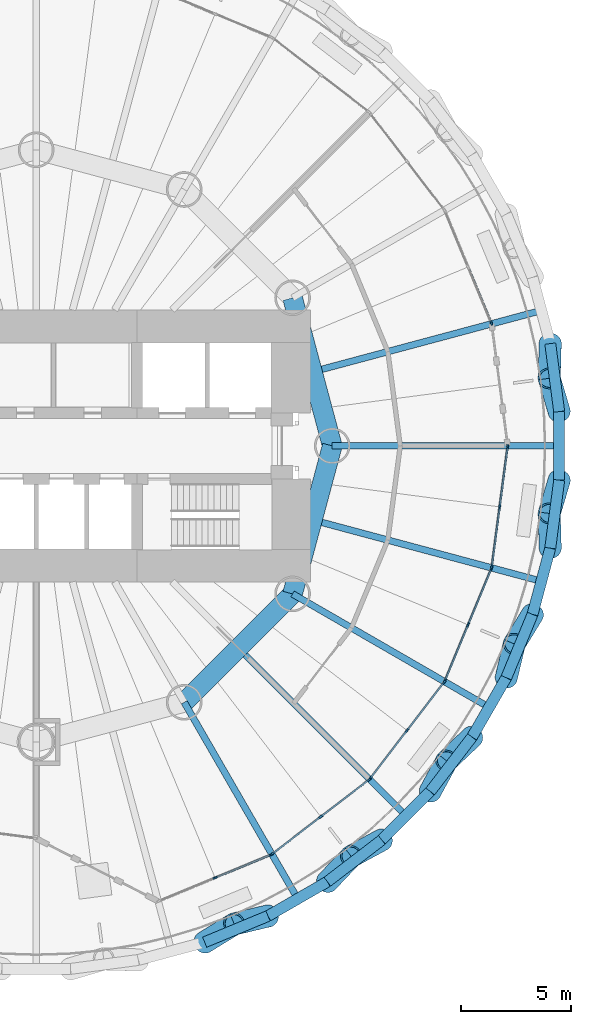
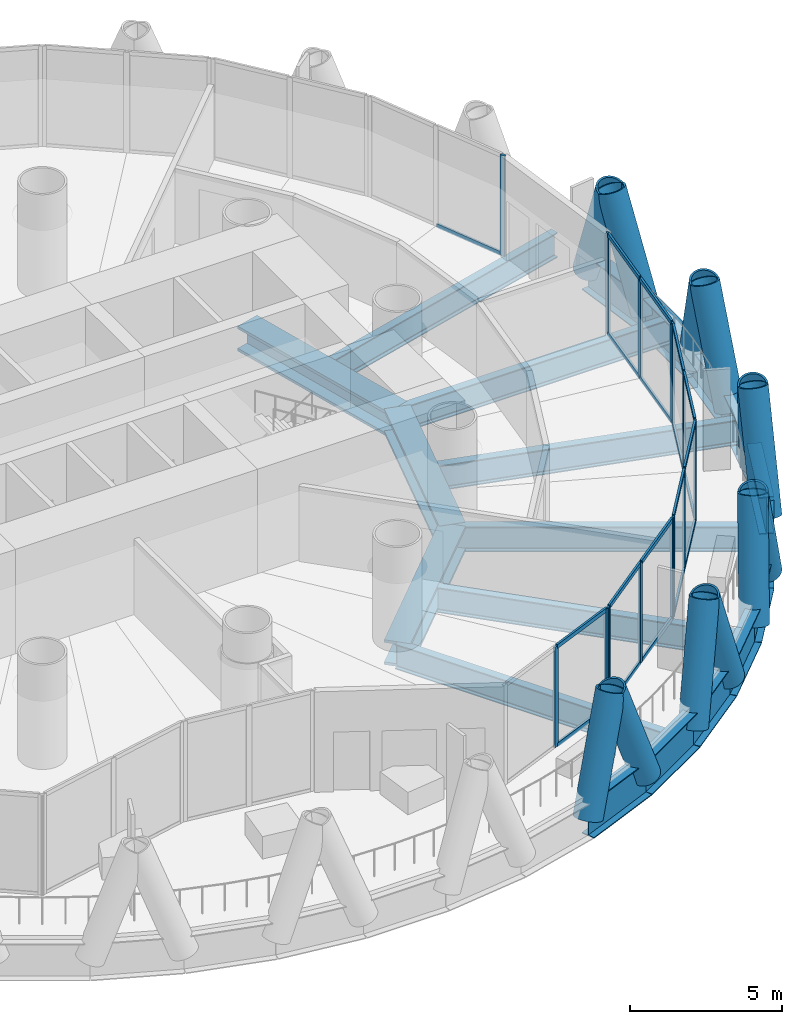
# One storey, part 4 of 15: 46 members, 20 beams, 6 elements without a shape of their own.
"""IFC4 building model written with IfcOpenShell, lengths in metres."""

from ifc_helpers import new_model, si_unit, direction, frame, origin, origin_2d, place, context, subcontext, project, spatial, rectangle, hollow_circle, i_section, extrude, material, material_profile, profile_set, type_object, element, aggregate, save


model = new_model("IFC4")

# Units and contexts
model_context = context("Model", 3, precision=1e-05, world=origin(), true_north=direction((0.0, 1.0)))
body_context = subcontext(model_context, "Body", "Model", "MODEL_VIEW")
ifc_project = project(units=[si_unit("LENGTHUNIT", "METRE"), si_unit("AREAUNIT", "SQUARE_METRE"), si_unit("VOLUMEUNIT", "CUBIC_METRE"), si_unit("PLANEANGLEUNIT", "RADIAN"), si_unit("MASSUNIT", "GRAM", prefix="KILO")], contexts=[model_context])

# Site, building, storey
site_placement = place(None, origin())
site = spatial("IfcSite", under=ifc_project, at=site_placement, CompositionType="ELEMENT")
building_placement = place(site_placement, origin())
building = spatial("IfcBuilding", under=site, at=building_placement, Name="Qaws Media Tower", CompositionType="ELEMENT")
storey_placement = place(building_placement, frame((0.0, 0.0, 198.199951171875)))
storey = spatial("IfcBuildingStorey", under=building, at=storey_placement, Name="L45", CompositionType="ELEMENT", Elevation=198.199951171875)

# Curtain wall, member
ifc_material_1 = material(Name="Aluminium and clear glass", Category="aluminium")
curtain_wall_type = type_object("IfcCurtainWallType", Name="Unitised curtain wall CW-C", PredefinedType="NOTDEFINED", material=ifc_material_1)
curtain_wall_1_placement = place(storey_placement, origin())
curtain_wall_1 = element("IfcCurtainWall", 1, at=curtain_wall_1_placement, inside=storey, type_object=curtain_wall_type, Name="CWC curtain wall L45-02", PredefinedType="NOTDEFINED")
ifc_material_2 = material(Name="Aluminium mullion", Category="aluminium")
ifc_material_profile_1 = material_profile(ifc_material_2, rectangle(XDim=0.080078125, YDim=0.199951171875, at=origin_2d()), Name="80x200")
ifc_profile_set_1 = profile_set([ifc_material_profile_1], Name="Aluminium mullion")
member_type_1 = type_object("IfcMemberType", Name="Curtain wall mullion 80x200", PredefinedType="MULLION", material=ifc_profile_set_1)
member_1_placement = place(storey_placement, frame((80.752197265625, 55.6015625, 0.0), z_axis=(0.0, 0.0, 1.0), x_axis=(-0.923879550051, -0.382683390022, 0.0)))
member_1 = element("IfcMember", 2, at=member_1_placement, type_object=member_type_1, Name="CWC mullion 1", PredefinedType="MULLION", context=body_context, shape_type="SweptSolid", body=[
    extrude(rectangle(XDim=0.080078125, YDim=0.199951171875, at=origin_2d()), origin(), (0.0, 0.0, 1.0), 4.0400390625),
])

# Curtain wall, members
curtain_wall_2_placement = place(storey_placement, origin())
curtain_wall_2 = element("IfcCurtainWall", 3, at=curtain_wall_2_placement, inside=storey, type_object=curtain_wall_type, Name="CWC curtain wall L45-20", PredefinedType="NOTDEFINED")
member_2_placement = place(storey_placement, frame((68.1572265625, 30.306640625, 0.0), z_axis=(0.0, 0.0, 1.0), x_axis=(-0.382683390022, 0.923879550051, 0.0)))
member_2 = element("IfcMember", 4, at=member_2_placement, type_object=member_type_1, Name="CWC mullion 2", PredefinedType="MULLION", context=body_context, shape_type="SweptSolid", body=[
    extrude(rectangle(XDim=0.080078125, YDim=0.199951171875, at=origin_2d()), origin(), (0.0, 0.0, 1.0), 4.0400390625),
])
member_3_placement = place(storey_placement, frame((70.713134765625, 31.365234375, 0.0), z_axis=(0.0, 0.0, 1.0), x_axis=(-0.382683390022, 0.923879550051, 0.0)))
member_3 = element("IfcMember", 5, at=member_3_placement, type_object=member_type_1, Name="CWC mullion 3", PredefinedType="MULLION", context=body_context, shape_type="SweptSolid", body=[
    extrude(rectangle(XDim=0.080078125, YDim=0.199951171875, at=origin_2d()), origin(), (0.0, 0.0, 1.0), 4.0400390625),
])

curtain_wall_3_placement = place(storey_placement, origin())
curtain_wall_3 = element("IfcCurtainWall", 6, at=curtain_wall_3_placement, inside=storey, type_object=curtain_wall_type, Name="CWC curtain wall L45-21", PredefinedType="NOTDEFINED")
member_4_placement = place(storey_placement, frame((70.78173828125, 31.40478515625, 0.0), z_axis=(0.0, 0.0, 1.0), x_axis=(-0.608761368139, 0.793353386998, 0.0)))
member_4 = element("IfcMember", 7, at=member_4_placement, type_object=member_type_1, Name="CWC mullion 1", PredefinedType="MULLION", context=body_context, shape_type="SweptSolid", body=[
    extrude(rectangle(XDim=0.080078125, YDim=0.199951171875, at=origin_2d()), origin(), (0.0, 0.0, 1.0), 4.0400390625),
])
member_5_placement = place(storey_placement, frame((72.976318359375, 33.0888671875, 0.0), z_axis=(0.0, 0.0, 1.0), x_axis=(-0.608761368139, 0.793353386998, 0.0)))
member_5 = element("IfcMember", 8, at=member_5_placement, type_object=member_type_1, Name="CWC mullion 2", PredefinedType="MULLION", context=body_context, shape_type="SweptSolid", body=[
    extrude(rectangle(XDim=0.080078125, YDim=0.199951171875, at=origin_2d()), origin(), (0.0, 0.0, 1.0), 4.0400390625),
])
member_6_placement = place(storey_placement, frame((75.171142578125, 34.77294921875, 0.0), z_axis=(0.0, 0.0, 1.0), x_axis=(-0.608761368139, 0.793353386998, 0.0)))
member_6 = element("IfcMember", 9, at=member_6_placement, type_object=member_type_1, Name="CWC mullion 3", PredefinedType="MULLION", context=body_context, shape_type="SweptSolid", body=[
    extrude(rectangle(XDim=0.080078125, YDim=0.199951171875, at=origin_2d()), origin(), (0.0, 0.0, 1.0), 4.0400390625),
])

curtain_wall_4_placement = place(storey_placement, origin())
curtain_wall_4 = element("IfcCurtainWall", 10, at=curtain_wall_4_placement, inside=storey, type_object=curtain_wall_type, Name="CWC curtain wall L45-22", PredefinedType="NOTDEFINED")
member_7_placement = place(storey_placement, frame((75.22705078125, 34.828857421875, 0.0), z_axis=(0.0, 0.0, 1.0), x_axis=(-0.793353386998, 0.608761368139, 0.0)))
member_7 = element("IfcMember", 11, at=member_7_placement, type_object=member_type_1, Name="CWC mullion 1", PredefinedType="MULLION", context=body_context, shape_type="SweptSolid", body=[
    extrude(rectangle(XDim=0.080078125, YDim=0.199951171875, at=origin_2d()), origin(), (0.0, 0.0, 1.0), 4.0400390625),
])
member_8_placement = place(storey_placement, frame((76.9111328125, 37.023681640625, 0.0), z_axis=(0.0, 0.0, 1.0), x_axis=(-0.793353386998, 0.608761368139, 0.0)))
member_8 = element("IfcMember", 12, at=member_8_placement, type_object=member_type_1, Name="CWC mullion 2", PredefinedType="MULLION", context=body_context, shape_type="SweptSolid", body=[
    extrude(rectangle(XDim=0.080078125, YDim=0.199951171875, at=origin_2d()), origin(), (0.0, 0.0, 1.0), 4.0400390625),
])
member_9_placement = place(storey_placement, frame((78.59521484375, 39.21826171875, 0.0), z_axis=(0.0, 0.0, 1.0), x_axis=(-0.793353386998, 0.608761368139, 0.0)))
member_9 = element("IfcMember", 13, at=member_9_placement, type_object=member_type_1, Name="CWC mullion 3", PredefinedType="MULLION", context=body_context, shape_type="SweptSolid", body=[
    extrude(rectangle(XDim=0.080078125, YDim=0.199951171875, at=origin_2d()), origin(), (0.0, 0.0, 1.0), 4.0400390625),
])

curtain_wall_5_placement = place(storey_placement, origin())
curtain_wall_5 = element("IfcCurtainWall", 14, at=curtain_wall_5_placement, inside=storey, type_object=curtain_wall_type, Name="CWC curtain wall L45-23", PredefinedType="NOTDEFINED")
member_10_placement = place(storey_placement, frame((78.634765625, 39.286865234375, 0.0), z_axis=(0.0, 0.0, 1.0), x_axis=(-0.923879550051, 0.382683390022, 0.0)))
member_10 = element("IfcMember", 15, at=member_10_placement, type_object=member_type_1, Name="CWC mullion 1", PredefinedType="MULLION", context=body_context, shape_type="SweptSolid", body=[
    extrude(rectangle(XDim=0.080078125, YDim=0.199951171875, at=origin_2d()), origin(), (0.0, 0.0, 1.0), 4.0400390625),
])
member_11_placement = place(storey_placement, frame((79.693359375, 41.8427734375, 0.0), z_axis=(0.0, 0.0, 1.0), x_axis=(-0.923879550051, 0.382683390022, 0.0)))
member_11 = element("IfcMember", 16, at=member_11_placement, type_object=member_type_1, Name="CWC mullion 2", PredefinedType="MULLION", context=body_context, shape_type="SweptSolid", body=[
    extrude(rectangle(XDim=0.080078125, YDim=0.199951171875, at=origin_2d()), origin(), (0.0, 0.0, 1.0), 4.0400390625),
])
member_12_placement = place(storey_placement, frame((80.752197265625, 44.3984375, 0.0), z_axis=(0.0, 0.0, 1.0), x_axis=(-0.923879550051, 0.382683390022, 0.0)))
member_12 = element("IfcMember", 17, at=member_12_placement, type_object=member_type_1, Name="CWC mullion 3", PredefinedType="MULLION", context=body_context, shape_type="SweptSolid", body=[
    extrude(rectangle(XDim=0.080078125, YDim=0.199951171875, at=origin_2d()), origin(), (0.0, 0.0, 1.0), 4.0400390625),
])

curtain_wall_6_placement = place(storey_placement, origin())
curtain_wall_6 = element("IfcCurtainWall", 18, at=curtain_wall_6_placement, inside=storey, type_object=curtain_wall_type, Name="CWC curtain wall L45-24", PredefinedType="NOTDEFINED")
member_13_placement = place(storey_placement, frame((80.772705078125, 44.47509765625, 0.0), z_axis=(0.0, 0.0, 1.0), x_axis=(-0.991444853833, 0.130526249496, 0.0)))
member_13 = element("IfcMember", 19, at=member_13_placement, type_object=member_type_1, Name="CWC mullion 1", PredefinedType="MULLION", context=body_context, shape_type="SweptSolid", body=[
    extrude(rectangle(XDim=0.080078125, YDim=0.199951171875, at=origin_2d()), origin(), (0.0, 0.0, 1.0), 4.0400390625),
])
member_14_placement = place(storey_placement, frame((81.1337890625, 47.2177734375, 0.0), z_axis=(0.0, 0.0, 1.0), x_axis=(-0.991444853833, 0.130526249496, 0.0)))
member_14 = element("IfcMember", 20, at=member_14_placement, type_object=member_type_1, Name="CWC mullion 2", PredefinedType="MULLION", context=body_context, shape_type="SweptSolid", body=[
    extrude(rectangle(XDim=0.080078125, YDim=0.199951171875, at=origin_2d()), origin(), (0.0, 0.0, 1.0), 4.0400390625),
])
member_15_placement = place(storey_placement, frame((81.494873046875, 49.96044921875, 0.0), z_axis=(0.0, 0.0, 1.0), x_axis=(-0.991444853833, 0.130526249496, 0.0)))
member_15 = element("IfcMember", 21, at=member_15_placement, type_object=member_type_1, Name="CWC mullion 3", PredefinedType="MULLION", context=body_context, shape_type="SweptSolid", body=[
    extrude(rectangle(XDim=0.080078125, YDim=0.199951171875, at=origin_2d()), origin(), (0.0, 0.0, 1.0), 4.0400390625),
])

# Member
ifc_material_3 = material(Name="Aluminium transom", Category="aluminium")
ifc_material_profile_2 = material_profile(ifc_material_3, rectangle(XDim=0.080078125, YDim=0.159912109375, at=origin_2d()), Name="80x160")
ifc_profile_set_2 = profile_set([ifc_material_profile_2], Name="Aluminium transom")
member_type_2 = type_object("IfcMemberType", Name="Curtain wall transom 80x160", PredefinedType="USERDEFINED", material=ifc_profile_set_2)
member_16_placement = place(storey_placement, frame((80.73681640625, 55.638427734375, 0.0400390625), z_axis=(-0.382691571386, 0.923876161176, 0.0), x_axis=(-0.923876161176, -0.382691571386, 0.0)))
member_16 = element("IfcMember", 22, at=member_16_placement, type_object=member_type_2, Name="CWC transom 1.1", ObjectType="TRANSOM", PredefinedType="USERDEFINED", context=body_context, shape_type="SweptSolid", body=[
    extrude(rectangle(XDim=0.080078125, YDim=0.159912109375, at=origin_2d()), origin(), (0.0, 0.0, 1.0), 2.6865234375),
])

aggregate(curtain_wall_1, [member_1, member_16])

member_17_placement = place(storey_placement, frame((68.1943359375, 30.32177734375, 0.0400390625), z_axis=(0.923862850009, 0.382723705006, 0.0), x_axis=(-0.382723705006, 0.923862850009, 0.0)))
member_17 = element("IfcMember", 23, at=member_17_placement, type_object=member_type_2, Name="CWC transom 2.1", ObjectType="TRANSOM", PredefinedType="USERDEFINED", context=body_context, shape_type="SweptSolid", body=[
    extrude(rectangle(XDim=0.080078125, YDim=0.159912109375, at=origin_2d()), origin(), (0.0, 0.0, 1.0), 2.686279296875),
])

member_18_placement = place(storey_placement, frame((68.1943359375, 30.32177734375, 4.0), z_axis=(0.923862850009, 0.382723705006, 0.0), x_axis=(-0.382723705006, 0.923862850009, 0.0)))
member_18 = element("IfcMember", 24, at=member_18_placement, type_object=member_type_2, Name="CWC transom 2.2", ObjectType="TRANSOM", PredefinedType="USERDEFINED", context=body_context, shape_type="SweptSolid", body=[
    extrude(rectangle(XDim=0.080078125, YDim=0.159912109375, at=origin_2d()), origin(), (0.0, 0.0, 1.0), 2.686279296875),
])

aggregate(curtain_wall_2, [member_2, member_3, member_17, member_18])

member_19_placement = place(storey_placement, frame((70.8134765625, 31.42919921875, 0.0400390625), z_axis=(0.793353220812, 0.608761584717, 0.0), x_axis=(-0.608761584717, 0.793353220812, 0.0)))
member_19 = element("IfcMember", 25, at=member_19_placement, type_object=member_type_2, Name="CWC transom 1.1", ObjectType="TRANSOM", PredefinedType="USERDEFINED", context=body_context, shape_type="SweptSolid", body=[
    extrude(rectangle(XDim=0.080078125, YDim=0.159912109375, at=origin_2d()), origin(), (0.0, 0.0, 1.0), 2.686279296875),
])

member_20_placement = place(storey_placement, frame((70.8134765625, 31.42919921875, 4.0), z_axis=(0.793353220812, 0.608761584717, 0.0), x_axis=(-0.608761584717, 0.793353220812, 0.0)))
member_20 = element("IfcMember", 26, at=member_20_placement, type_object=member_type_2, Name="CWC transom 1.2", ObjectType="TRANSOM", PredefinedType="USERDEFINED", context=body_context, shape_type="SweptSolid", body=[
    extrude(rectangle(XDim=0.080078125, YDim=0.159912109375, at=origin_2d()), origin(), (0.0, 0.0, 1.0), 2.686279296875),
])

member_21_placement = place(storey_placement, frame((73.008056640625, 33.11328125, 0.0400390625), z_axis=(0.793386899068, 0.608717691863, 0.0), x_axis=(-0.608717691863, 0.793386899068, 0.0)))
member_21 = element("IfcMember", 27, at=member_21_placement, type_object=member_type_2, Name="CWC transom 2.1", ObjectType="TRANSOM", PredefinedType="USERDEFINED", context=body_context, shape_type="SweptSolid", body=[
    extrude(rectangle(XDim=0.080078125, YDim=0.159912109375, at=origin_2d()), origin(), (0.0, 0.0, 1.0), 2.686279296875),
])

member_22_placement = place(storey_placement, frame((73.008056640625, 33.11328125, 4.0), z_axis=(0.793386899068, 0.608717691863, 0.0), x_axis=(-0.608717691863, 0.793386899068, 0.0)))
member_22 = element("IfcMember", 28, at=member_22_placement, type_object=member_type_2, Name="CWC transom 2.2", ObjectType="TRANSOM", PredefinedType="USERDEFINED", context=body_context, shape_type="SweptSolid", body=[
    extrude(rectangle(XDim=0.080078125, YDim=0.159912109375, at=origin_2d()), origin(), (0.0, 0.0, 1.0), 2.686279296875),
])

aggregate(curtain_wall_3, [member_4, member_5, member_6, member_19, member_20, member_21, member_22])

member_23_placement = place(storey_placement, frame((75.25146484375, 34.860595703125, 0.0400390625), z_axis=(0.608717691863, 0.793386899068, 0.0), x_axis=(-0.793386899068, 0.608717691863, 0.0)))
member_23 = element("IfcMember", 29, at=member_23_placement, type_object=member_type_2, Name="CWC transom 1.1", ObjectType="TRANSOM", PredefinedType="USERDEFINED", context=body_context, shape_type="SweptSolid", body=[
    extrude(rectangle(XDim=0.080078125, YDim=0.159912109375, at=origin_2d()), origin(), (0.0, 0.0, 1.0), 2.686279296875),
])

member_24_placement = place(storey_placement, frame((75.25146484375, 34.860595703125, 4.0), z_axis=(0.608717691863, 0.793386899068, 0.0), x_axis=(-0.793386899068, 0.608717691863, 0.0)))
member_24 = element("IfcMember", 30, at=member_24_placement, type_object=member_type_2, Name="CWC transom 1.2", ObjectType="TRANSOM", PredefinedType="USERDEFINED", context=body_context, shape_type="SweptSolid", body=[
    extrude(rectangle(XDim=0.080078125, YDim=0.159912109375, at=origin_2d()), origin(), (0.0, 0.0, 1.0), 2.686279296875),
])

member_25_placement = place(storey_placement, frame((76.935546875, 37.055419921875, 0.0400390625), z_axis=(0.608761584717, 0.793353220812, 0.0), x_axis=(-0.793353220812, 0.608761584717, 0.0)))
member_25 = element("IfcMember", 31, at=member_25_placement, type_object=member_type_2, Name="CWC transom 2.1", ObjectType="TRANSOM", PredefinedType="USERDEFINED", context=body_context, shape_type="SweptSolid", body=[
    extrude(rectangle(XDim=0.080078125, YDim=0.159912109375, at=origin_2d()), origin(), (0.0, 0.0, 1.0), 2.686279296875),
])

member_26_placement = place(storey_placement, frame((76.935546875, 37.055419921875, 4.0), z_axis=(0.608761584717, 0.793353220812, 0.0), x_axis=(-0.793353220812, 0.608761584717, 0.0)))
member_26 = element("IfcMember", 32, at=member_26_placement, type_object=member_type_2, Name="CWC transom 2.2", ObjectType="TRANSOM", PredefinedType="USERDEFINED", context=body_context, shape_type="SweptSolid", body=[
    extrude(rectangle(XDim=0.080078125, YDim=0.159912109375, at=origin_2d()), origin(), (0.0, 0.0, 1.0), 2.686279296875),
])

aggregate(curtain_wall_4, [member_7, member_8, member_9, member_23, member_24, member_25, member_26])

member_27_placement = place(storey_placement, frame((78.650146484375, 39.323974609375, 0.0400390625), z_axis=(0.382723705006, 0.923862850009, 0.0), x_axis=(-0.923862850009, 0.382723705006, 0.0)))
member_27 = element("IfcMember", 33, at=member_27_placement, type_object=member_type_2, Name="CWC transom 1.1", ObjectType="TRANSOM", PredefinedType="USERDEFINED", context=body_context, shape_type="SweptSolid", body=[
    extrude(rectangle(XDim=0.080078125, YDim=0.159912109375, at=origin_2d()), origin(), (0.0, 0.0, 1.0), 2.686279296875),
])

member_28_placement = place(storey_placement, frame((78.650146484375, 39.323974609375, 4.0), z_axis=(0.382723705006, 0.923862850009, 0.0), x_axis=(-0.923862850009, 0.382723705006, 0.0)))
member_28 = element("IfcMember", 34, at=member_28_placement, type_object=member_type_2, Name="CWC transom 1.2", ObjectType="TRANSOM", PredefinedType="USERDEFINED", context=body_context, shape_type="SweptSolid", body=[
    extrude(rectangle(XDim=0.080078125, YDim=0.159912109375, at=origin_2d()), origin(), (0.0, 0.0, 1.0), 2.686279296875),
])

member_29_placement = place(storey_placement, frame((79.708740234375, 41.879638671875, 0.0400390625), z_axis=(0.382691571386, 0.923876161176, 0.0), x_axis=(-0.923876161176, 0.382691571386, 0.0)))
member_29 = element("IfcMember", 35, at=member_29_placement, type_object=member_type_2, Name="CWC transom 2.1", ObjectType="TRANSOM", PredefinedType="USERDEFINED", context=body_context, shape_type="SweptSolid", body=[
    extrude(rectangle(XDim=0.080078125, YDim=0.159912109375, at=origin_2d()), origin(), (0.0, 0.0, 1.0), 2.6865234375),
])

member_30_placement = place(storey_placement, frame((79.708740234375, 41.879638671875, 4.0), z_axis=(0.382691571386, 0.923876161176, 0.0), x_axis=(-0.923876161176, 0.382691571386, 0.0)))
member_30 = element("IfcMember", 36, at=member_30_placement, type_object=member_type_2, Name="CWC transom 2.2", ObjectType="TRANSOM", PredefinedType="USERDEFINED", context=body_context, shape_type="SweptSolid", body=[
    extrude(rectangle(XDim=0.080078125, YDim=0.159912109375, at=origin_2d()), origin(), (0.0, 0.0, 1.0), 2.6865234375),
])

aggregate(curtain_wall_5, [member_10, member_11, member_12, member_27, member_28, member_29, member_30])

member_31_placement = place(storey_placement, frame((80.77783203125, 44.5146484375, 0.0400390625), z_axis=(0.130508584607, 0.991447179301, 0.0), x_axis=(-0.991447179301, 0.130508584607, 0.0)))
member_31 = element("IfcMember", 37, at=member_31_placement, type_object=member_type_2, Name="CWC transom 1.1", ObjectType="TRANSOM", PredefinedType="USERDEFINED", context=body_context, shape_type="SweptSolid", body=[
    extrude(rectangle(XDim=0.080078125, YDim=0.159912109375, at=origin_2d()), origin(), (0.0, 0.0, 1.0), 2.686279296875),
])

member_32_placement = place(storey_placement, frame((80.77783203125, 44.5146484375, 4.0), z_axis=(0.130508584607, 0.991447179301, 0.0), x_axis=(-0.991447179301, 0.130508584607, 0.0)))
member_32 = element("IfcMember", 38, at=member_32_placement, type_object=member_type_2, Name="CWC transom 1.2", ObjectType="TRANSOM", PredefinedType="USERDEFINED", context=body_context, shape_type="SweptSolid", body=[
    extrude(rectangle(XDim=0.080078125, YDim=0.159912109375, at=origin_2d()), origin(), (0.0, 0.0, 1.0), 2.686279296875),
])

member_33_placement = place(storey_placement, frame((81.138916015625, 47.25732421875, 0.0400390625), z_axis=(0.130508584607, 0.991447179301, 0.0), x_axis=(-0.991447179301, 0.130508584607, 0.0)))
member_33 = element("IfcMember", 39, at=member_33_placement, type_object=member_type_2, Name="CWC transom 2.1", ObjectType="TRANSOM", PredefinedType="USERDEFINED", context=body_context, shape_type="SweptSolid", body=[
    extrude(rectangle(XDim=0.080078125, YDim=0.159912109375, at=origin_2d()), origin(), (0.0, 0.0, 1.0), 2.686279296875),
])

member_34_placement = place(storey_placement, frame((81.138916015625, 47.25732421875, 4.0), z_axis=(0.130508584607, 0.991447179301, 0.0), x_axis=(-0.991447179301, 0.130508584607, 0.0)))
member_34 = element("IfcMember", 40, at=member_34_placement, type_object=member_type_2, Name="CWC transom 2.2", ObjectType="TRANSOM", PredefinedType="USERDEFINED", context=body_context, shape_type="SweptSolid", body=[
    extrude(rectangle(XDim=0.080078125, YDim=0.159912109375, at=origin_2d()), origin(), (0.0, 0.0, 1.0), 2.686279296875),
])

aggregate(curtain_wall_6, [member_13, member_14, member_15, member_31, member_32, member_33, member_34])

# Members
ifc_material_4 = material(Name="Steel S460", Category="steel")
ifc_material_profile_3 = material_profile(ifc_material_4, hollow_circle(Radius=0.508056640625, WallThickness=0.070068359375, at=origin_2d()), Name="CHS 1016x70")
ifc_profile_set_3 = profile_set([ifc_material_profile_3], Name="Steel S460")
member_type_3 = type_object("IfcMemberType", Name="Diagrid member CHS 1016x70", PredefinedType="USERDEFINED", material=ifc_profile_set_3)
for number, where, z_axis, x_axis, name in (
    (41, (83.848876953125, 51.563232421875, -0.909912109375), (-0.100414403479, 0.338014682134, 0.935768679876), (-0.958595556334, -0.284771064852, 0.0), "DG3 diagrid L45 A01"),
    (42, (83.848876953125, 48.436767578125, -0.909912109375), (-0.100414403479, -0.338014682134, 0.935768679876), (0.958595556334, -0.284771064852, 0.0), "DG3 diagrid L45 B01"),
    (43, (83.440673828125, 54.66259765625, -0.909912109375), (-0.009464676487, -0.352532001786, 0.935751894263), (0.999639794984, -0.026838038008, 0.0), "DG3 diagrid L45 B02"),
    (44, (67.682373046875, 27.368408203125, -0.909912109375), (0.300531719733, 0.184507437707, 0.935755144717), (-0.523202112796, 0.85220863007, 0.0), "DG3 diagrid L45 A20"),
    (45, (73.278076171875, 30.1279296875, -0.909912109375), (0.24254755553, 0.255983134408, 0.935758151557), (-0.725899989111, 0.687800265926, 0.0), "DG3 diagrid L45 A21"),
    (46, (70.57080078125, 28.564697265625, -0.909912109375), (-0.343009853976, -0.082026460481, 0.935743501103), (0.232579556178, -0.972577374839, 0.0), "DG3 diagrid L45 B21"),
    (47, (77.968994140625, 34.24169921875, -0.909912109375), (0.168025631543, 0.310050534086, 0.935754269805), (-0.879195053655, 0.476462021182, 0.0), "DG3 diagrid L45 A22"),
    (48, (75.75830078125, 32.031005859375, -0.909912109375), (-0.310050534086, -0.168025631543, 0.935754269805), (0.476462021182, -0.879195053655, 0.0), "DG3 diagrid L45 B22"),
    (49, (81.435302734375, 39.42919921875, -0.909912109375), (0.082026460481, 0.343009853976, 0.935743501103), (-0.972577374839, 0.232579556178, 0.0), "DG3 diagrid L45 A23"),
    (50, (79.8720703125, 36.721923828125, -0.909912109375), (-0.255983134408, -0.24254755553, 0.935758151557), (0.687800265926, -0.725899989111, 0.0), "DG3 diagrid L45 B23"),
    (51, (83.440673828125, 45.33740234375, -0.909912109375), (-0.009464676487, 0.352532001786, 0.935751894263), (-0.999639794984, -0.026838038008, 0.0), "DG3 diagrid L45 A24"),
    (52, (82.631591796875, 42.317626953125, -0.909912109375), (-0.184507437707, -0.300531719733, 0.935755144717), (0.85220863007, -0.523202112796, 0.0), "DG3 diagrid L45 B24"),
):
    element("IfcMember", number, at=place(storey_placement, frame(where, z_axis=z_axis, x_axis=x_axis)), inside=storey, type_object=member_type_3, Name=name, ObjectType="DIAGRID", PredefinedType="USERDEFINED", context=body_context, shape_type="SweptSolid", body=[
        extrude(hollow_circle(Radius=0.508056640625, WallThickness=0.070068359375, at=origin_2d()), origin(), (0.0, 0.0, 1.0), 4.48828125),
    ])

# Beams
ifc_material_5 = material(Name="Steel S460", Category="steel")
ifc_material_profile_4 = material_profile(ifc_material_5, i_section(OverallWidth=0.5, OverallDepth=1.5, WebThickness=0.02001953125, FlangeThickness=0.0400390625, at=origin_2d()), Name="PG 1500x500")
ifc_profile_set_4 = profile_set([ifc_material_profile_4], Name="Steel S460")
beam_type_1 = type_object("IfcBeamType", Name="Edge ring beam PG 1500x500", PredefinedType="BEAM", material=ifc_profile_set_4)
beam_1_placement = place(storey_placement, frame((83.848876953125, 51.563232421875, -0.909912109375), z_axis=(-0.130577743855, 0.991438073109, 0.0), x_axis=(-0.991438073109, -0.130577743855, 0.0)))
element("IfcBeam", 53, at=beam_1_placement, inside=storey, type_object=beam_type_1, Name="RB4 edge ring beam L45-01", PredefinedType="BEAM", context=body_context, shape_type="SweptSolid", body=[
    extrude(i_section(OverallWidth=0.5, OverallDepth=1.5, WebThickness=0.02001953125, FlangeThickness=0.0400390625, at=origin_2d()), origin(), (0.0, 0.0, 1.0), 3.126220703125),
])
beam_2_placement = place(storey_placement, frame((67.682373046875, 27.368408203125, -0.909912109375), z_axis=(0.923895011115, 0.382646061572, 0.0), x_axis=(-0.382646061572, 0.923895011115, 0.0)))
element("IfcBeam", 54, at=beam_2_placement, inside=storey, type_object=beam_type_1, Name="RB4 edge ring beam L45-39", PredefinedType="BEAM", context=body_context, shape_type="SweptSolid", body=[
    extrude(i_section(OverallWidth=0.5, OverallDepth=1.5, WebThickness=0.02001953125, FlangeThickness=0.0400390625, at=origin_2d()), origin(), (0.0, 0.0, 1.0), 3.12646484375),
])
for number, where, z_axis, x_axis, name in (
    (55, (70.57080078125, 28.564697265625, -0.909912109375), (0.86599960537, 0.500044681503, 0.0), (-0.500044681503, 0.86599960537, 0.0), "RB4 edge ring beam L45-40"),
    (56, (73.278076171875, 30.1279296875, -0.909912109375), (0.793363707434, 0.608747918048, 0.0), (-0.608747918048, 0.793363707434, 0.0), "RB4 edge ring beam L45-41"),
):
    element("IfcBeam", number, at=place(storey_placement, frame(where, z_axis=z_axis, x_axis=x_axis)), inside=storey, type_object=beam_type_1, Name=name, PredefinedType="BEAM", context=body_context, shape_type="SweptSolid", body=[
        extrude(i_section(OverallWidth=0.5, OverallDepth=1.5, WebThickness=0.02001953125, FlangeThickness=0.0400390625, at=origin_2d()), origin(), (0.0, 0.0, 1.0), 3.126220703125),
    ])
beam_3_placement = place(storey_placement, frame((75.75830078125, 32.031005859375, -0.909912109375), z_axis=(0.707106781187, 0.707106781187, 0.0), x_axis=(-0.707106781187, 0.707106781187, 0.0)))
element("IfcBeam", 57, at=beam_3_placement, inside=storey, type_object=beam_type_1, Name="RB4 edge ring beam L45-42", PredefinedType="BEAM", context=body_context, shape_type="SweptSolid", body=[
    extrude(i_section(OverallWidth=0.5, OverallDepth=1.5, WebThickness=0.02001953125, FlangeThickness=0.0400390625, at=origin_2d()), origin(), (0.0, 0.0, 1.0), 3.12646484375),
])
for number, where, z_axis, x_axis, name in (
    (58, (77.968994140625, 34.24169921875, -0.909912109375), (0.608747918048, 0.793363707434, 0.0), (-0.793363707434, 0.608747918048, 0.0), "RB4 edge ring beam L45-43"),
    (59, (79.8720703125, 36.721923828125, -0.909912109375), (0.500044681503, 0.86599960537, 0.0), (-0.86599960537, 0.500044681503, 0.0), "RB4 edge ring beam L45-44"),
):
    element("IfcBeam", number, at=place(storey_placement, frame(where, z_axis=z_axis, x_axis=x_axis)), inside=storey, type_object=beam_type_1, Name=name, PredefinedType="BEAM", context=body_context, shape_type="SweptSolid", body=[
        extrude(i_section(OverallWidth=0.5, OverallDepth=1.5, WebThickness=0.02001953125, FlangeThickness=0.0400390625, at=origin_2d()), origin(), (0.0, 0.0, 1.0), 3.126220703125),
    ])
beam_4_placement = place(storey_placement, frame((81.435302734375, 39.42919921875, -0.909912109375), z_axis=(0.382646061572, 0.923895011115, 0.0), x_axis=(-0.923895011115, 0.382646061572, 0.0)))
element("IfcBeam", 60, at=beam_4_placement, inside=storey, type_object=beam_type_1, Name="RB4 edge ring beam L45-45", PredefinedType="BEAM", context=body_context, shape_type="SweptSolid", body=[
    extrude(i_section(OverallWidth=0.5, OverallDepth=1.5, WebThickness=0.02001953125, FlangeThickness=0.0400390625, at=origin_2d()), origin(), (0.0, 0.0, 1.0), 3.12646484375),
])
for number, where, z_axis, x_axis, name in (
    (61, (82.631591796875, 42.317626953125, -0.909912109375), (0.258799841546, 0.965930971662, 0.0), (-0.965930971662, 0.258799841546, 0.0), "RB4 edge ring beam L45-46"),
    (62, (83.440673828125, 45.33740234375, -0.909912109375), (0.130577743855, 0.991438073109, 0.0), (-0.991438073109, 0.130577743855, 0.0), "RB4 edge ring beam L45-47"),
):
    element("IfcBeam", number, at=place(storey_placement, frame(where, z_axis=z_axis, x_axis=x_axis)), inside=storey, type_object=beam_type_1, Name=name, PredefinedType="BEAM", context=body_context, shape_type="SweptSolid", body=[
        extrude(i_section(OverallWidth=0.5, OverallDepth=1.5, WebThickness=0.02001953125, FlangeThickness=0.0400390625, at=origin_2d()), origin(), (0.0, 0.0, 1.0), 3.126220703125),
    ])
beam_5_placement = place(storey_placement, frame((83.848876953125, 48.436767578125, -0.909912109375), z_axis=(0.0, 1.0, 0.0), x_axis=(-1.0, 0.0, 0.0)))
element("IfcBeam", 63, at=beam_5_placement, inside=storey, type_object=beam_type_1, Name="RB4 edge ring beam L45-48", PredefinedType="BEAM", context=body_context, shape_type="SweptSolid", body=[
    extrude(i_section(OverallWidth=0.5, OverallDepth=1.5, WebThickness=0.02001953125, FlangeThickness=0.0400390625, at=origin_2d()), origin(), (0.0, 0.0, 1.0), 3.12646484375),
])
ifc_material_6 = material(Name="Steel S460", Category="steel")
ifc_material_profile_5 = material_profile(ifc_material_6, i_section(OverallWidth=0.89990234375, OverallDepth=1.0, WebThickness=0.044921875, FlangeThickness=0.110107421875, at=origin_2d()), Name="PG 1000x900")
ifc_profile_set_5 = profile_set([ifc_material_profile_5], Name="Steel S460")
beam_type_2 = type_object("IfcBeamType", Name="Inner ring girder PG 1000x900", PredefinedType="BEAM", material=ifc_profile_set_5)
beam_6_placement = place(storey_placement, frame((73.5, 50.0, -0.659912109375), z_axis=(-0.258810593767, 0.965928090778, 0.0), x_axis=(-0.965928090778, -0.258810593767, 0.0)))
element("IfcBeam", 64, at=beam_6_placement, inside=storey, type_object=beam_type_2, Name="B3 inner ring beam L45 I01-I02", PredefinedType="BEAM", context=body_context, shape_type="SweptSolid", body=[
    extrude(i_section(OverallWidth=0.89990234375, OverallDepth=1.0, WebThickness=0.044921875, FlangeThickness=0.110107421875, at=origin_2d()), origin(), (0.0, 0.0, 1.0), 6.988037109375),
])
beam_7_placement = place(storey_placement, frame((66.75, 38.30859375, -0.659912109375), z_axis=(0.707106781187, 0.707106781187, 0.0), x_axis=(-0.707106781187, 0.707106781187, 0.0)))
element("IfcBeam", 65, at=beam_7_placement, inside=storey, type_object=beam_type_2, Name="B3 inner ring beam L45 I11-I12", PredefinedType="BEAM", context=body_context, shape_type="SweptSolid", body=[
    extrude(i_section(OverallWidth=0.89990234375, OverallDepth=1.0, WebThickness=0.044921875, FlangeThickness=0.110107421875, at=origin_2d()), origin(), (0.0, 0.0, 1.0), 6.98828125),
])
beam_8_placement = place(storey_placement, frame((71.69140625, 43.25, -0.659912109375), z_axis=(0.258810593767, 0.965928090778, 0.0), x_axis=(-0.965928090778, 0.258810593767, 0.0)))
element("IfcBeam", 66, at=beam_8_placement, inside=storey, type_object=beam_type_2, Name="B3 inner ring beam L45 I12-I01", PredefinedType="BEAM", context=body_context, shape_type="SweptSolid", body=[
    extrude(i_section(OverallWidth=0.89990234375, OverallDepth=1.0, WebThickness=0.044921875, FlangeThickness=0.110107421875, at=origin_2d()), origin(), (0.0, 0.0, 1.0), 6.988037109375),
])
ifc_material_7 = material(Name="Steel S355", Category="steel")
ifc_material_profile_6 = material_profile(ifc_material_7, i_section(OverallWidth=0.302001953125, OverallDepth=1.008056640625, WebThickness=0.02099609375, FlangeThickness=0.0400390625, FilletRadius=0.030029296875, at=origin_2d()), Name="HE 1000 M")
ifc_profile_set_6 = profile_set([ifc_material_profile_6], Name="Steel S355")
beam_type_3 = type_object("IfcBeamType", Name="Radial beam HE 1000 M", PredefinedType="BEAM", material=ifc_profile_set_6)
beam_9_placement = place(storey_placement, frame((73.5, 50.0, -0.6640625), z_axis=(1.0, 0.0, 0.0), x_axis=(0.0, 1.0, 0.0)))
element("IfcBeam", 67, at=beam_9_placement, inside=storey, type_object=beam_type_3, Name="B1 radial beam L45 01", PredefinedType="BEAM", context=body_context, shape_type="SweptSolid", body=[
    extrude(i_section(OverallWidth=0.302001953125, OverallDepth=1.008056640625, WebThickness=0.02099609375, FlangeThickness=0.0400390625, FilletRadius=0.030029296875, at=origin_2d()), origin(), (0.0, 0.0, 1.0), 10.348876953125),
])
beam_10_placement = place(storey_placement, frame((73.0302734375, 53.491455078125, -0.6640625), z_axis=(0.965923644434, 0.25882718776, 0.0), x_axis=(-0.25882718776, 0.965923644434, 0.0)))
element("IfcBeam", 68, at=beam_10_placement, inside=storey, type_object=beam_type_3, Name="B1 radial beam L45 02", PredefinedType="BEAM", context=body_context, shape_type="SweptSolid", body=[
    extrude(i_section(OverallWidth=0.302001953125, OverallDepth=1.008056640625, WebThickness=0.02099609375, FlangeThickness=0.0400390625, FilletRadius=0.030029296875, at=origin_2d()), origin(), (0.0, 0.0, 1.0), 10.35888671875),
])
beam_11_placement = place(storey_placement, frame((66.75, 38.30859375, -0.6640625), z_axis=(0.499990651121, -0.866030801295, 0.0), x_axis=(0.866030801295, 0.499990651121, 0.0)))
element("IfcBeam", 69, at=beam_11_placement, inside=storey, type_object=beam_type_3, Name="B1 radial beam L45 21", PredefinedType="BEAM", context=body_context, shape_type="SweptSolid", body=[
    extrude(i_section(OverallWidth=0.302001953125, OverallDepth=1.008056640625, WebThickness=0.02099609375, FlangeThickness=0.0400390625, FilletRadius=0.030029296875, at=origin_2d()), origin(), (0.0, 0.0, 1.0), 10.348876953125),
])
beam_12_placement = place(storey_placement, frame((69.538818359375, 40.461181640625, -0.6640625), z_axis=(0.707106781187, -0.707106781187, 0.0), x_axis=(0.707106781187, 0.707106781187, 0.0)))
element("IfcBeam", 70, at=beam_12_placement, inside=storey, type_object=beam_type_3, Name="B1 radial beam L45 22", PredefinedType="BEAM", context=body_context, shape_type="SweptSolid", body=[
    extrude(i_section(OverallWidth=0.302001953125, OverallDepth=1.008056640625, WebThickness=0.02099609375, FlangeThickness=0.0400390625, FilletRadius=0.030029296875, at=origin_2d()), origin(), (0.0, 0.0, 1.0), 10.359130859375),
])
beam_13_placement = place(storey_placement, frame((71.69140625, 43.25, -0.6640625), z_axis=(0.866030801295, -0.499990651121, 0.0), x_axis=(0.499990651121, 0.866030801295, 0.0)))
element("IfcBeam", 71, at=beam_13_placement, inside=storey, type_object=beam_type_3, Name="B1 radial beam L45 23", PredefinedType="BEAM", context=body_context, shape_type="SweptSolid", body=[
    extrude(i_section(OverallWidth=0.302001953125, OverallDepth=1.008056640625, WebThickness=0.02099609375, FlangeThickness=0.0400390625, FilletRadius=0.030029296875, at=origin_2d()), origin(), (0.0, 0.0, 1.0), 10.348876953125),
])
beam_14_placement = place(storey_placement, frame((73.0302734375, 46.508544921875, -0.6640625), z_axis=(0.965923644434, -0.25882718776, 0.0), x_axis=(0.25882718776, 0.965923644434, 0.0)))
element("IfcBeam", 72, at=beam_14_placement, inside=storey, type_object=beam_type_3, Name="B1 radial beam L45 24", PredefinedType="BEAM", context=body_context, shape_type="SweptSolid", body=[
    extrude(i_section(OverallWidth=0.302001953125, OverallDepth=1.008056640625, WebThickness=0.02099609375, FlangeThickness=0.0400390625, FilletRadius=0.030029296875, at=origin_2d()), origin(), (0.0, 0.0, 1.0), 10.35888671875),
])

save(model, "model.ifc")
